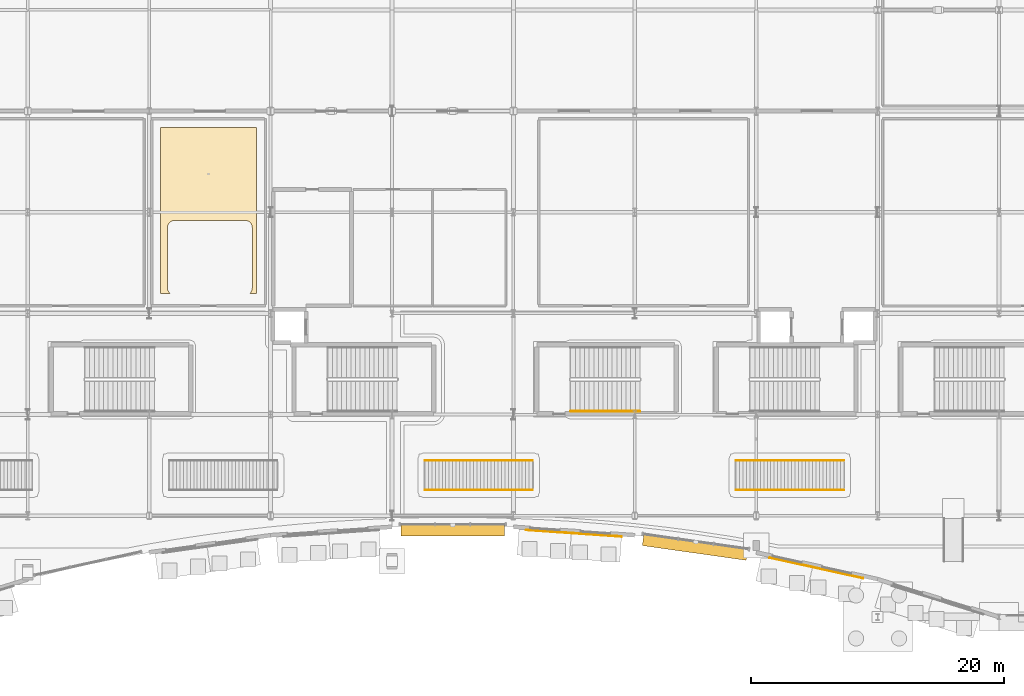
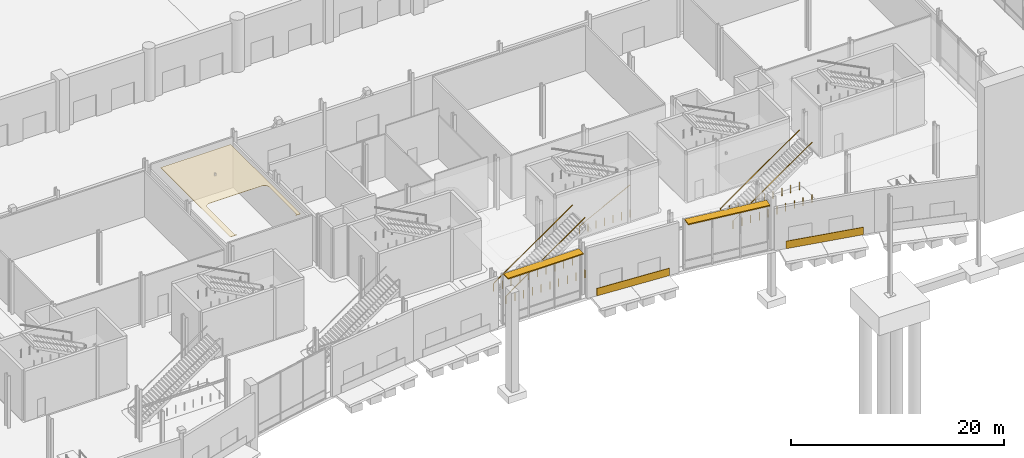
# One storey, part 106 of 124: 5 railings, 3 coverings, 2 shading devices.
"""IFC4 building model written with IfcOpenShell, lengths in metres."""

from ifc_helpers import new_model, si_unit, direction, frame, origin, origin_2d, place, context, subcontext, project, spatial, polyline, rectangle, circle, outline, extrude, material, layer, layer_set, type_object, element, save


model = new_model("IFC4")

# Units and contexts
model_context = context("Model", 3, precision=1e-05, world=origin(), true_north=direction((0.0, 1.0)))
body_context = subcontext(model_context, "Body", "Model", "MODEL_VIEW")
ifc_project = project(units=[si_unit("LENGTHUNIT", "METRE"), si_unit("AREAUNIT", "SQUARE_METRE"), si_unit("VOLUMEUNIT", "CUBIC_METRE"), si_unit("PLANEANGLEUNIT", "RADIAN"), si_unit("MASSUNIT", "GRAM", prefix="KILO")], contexts=[model_context])

# Site, building, storey
site_placement = place(None, origin())
site = spatial("IfcSite", under=ifc_project, at=site_placement, CompositionType="ELEMENT")
building_placement = place(site_placement, origin())
building = spatial("IfcBuilding", under=site, at=building_placement, Name="Danafjord Basin Convention Centre", CompositionType="ELEMENT")
storey_placement = place(building_placement, origin())
storey = spatial("IfcBuildingStorey", under=building, at=storey_placement, Name="L00", CompositionType="ELEMENT", Elevation=0.0)

# Coverings
ifc_material_1 = material(Name="Board-marked precast concrete rainscreen", Category="concrete")
ifc_layer_1 = layer(ifc_material_1, 0.06005859375)
ifc_layer_set_1 = layer_set([ifc_layer_1], Name="Board-marked precast concrete rainscreen")
covering_type_1 = type_object("IfcCoveringType", Name="COV-CLAD-PC", PredefinedType="CLADDING", material=ifc_layer_set_1)
for number, where, z_axis, x_axis, name in (
    (1, (71.98779296875, 6.60986328125, 0.02490234375), (0.0, 0.0, 1.0), (0.997609375858, -0.069105232798, 0.0), "L00 board-marked precast spandrel cladding"),
    (2, (91.162353515625, 3.865478515625, 0.02490234375), (0.0, 0.0, 1.0), (0.976623114167, -0.214958816695, 0.0), "L00 board-marked precast spandrel cladding"),
):
    element("IfcCovering", number, at=place(storey_placement, frame(where, z_axis=z_axis, x_axis=x_axis)), inside=storey, type_object=covering_type_1, Name=name, PredefinedType="CLADDING", context=body_context, shape_type="SweptSolid", body=[
        extrude(rectangle(XDim=7.60009765625, YDim=0.06005859375, at=origin_2d()), origin(), (0.0, 0.0, 1.0), 0.85009765625),
    ])
ifc_material_2 = material(Name="Acoustic mineral-fibre tile ceiling")
ifc_layer_2 = layer(ifc_material_2, 0.030029296875)
ifc_layer_set_2 = layer_set([ifc_layer_2], Name="Acoustic mineral-fibre tile ceiling")
covering_type_2 = type_object("IfcCoveringType", Name="COV-CLG-GYP01", PredefinedType="CEILING", material=ifc_layer_set_2)
covering_placement = place(storey_placement, frame((0.0, 0.0, 5.5)))
element("IfcCovering", 3, at=covering_placement, inside=storey, type_object=covering_type_2, Name="Harbour Seminar Hall M01 acoustic ceiling", PredefinedType="CEILING", context=body_context, shape_type="SweptSolid", body=[
    extrude(outline(polyline([(46.89990234375, 38.699951171875), (46.89990234375, 25.590087890625), (46.365966796875, 25.590087890625), (46.388916015625, 25.611083984375), (46.425048828125, 25.65087890625), (46.45703125, 25.694091796875), (46.485107421875, 25.740966796875), (46.508056640625, 25.7900390625), (46.52587890625, 25.840087890625), (46.5390625, 25.89306640625), (46.547119140625, 25.946044921875), (46.550048828125, 26.0), (46.550048828125, 30.800048828125), (46.547119140625, 30.85400390625), (46.5390625, 30.906982421875), (46.52587890625, 30.9599609375), (46.508056640625, 31.010009765625), (46.485107421875, 31.05908203125), (46.45703125, 31.10595703125), (46.425048828125, 31.14892578125), (46.388916015625, 31.18896484375), (46.34912109375, 31.22509765625), (46.305908203125, 31.257080078125), (46.259033203125, 31.284912109375), (46.2099609375, 31.30810546875), (46.159912109375, 31.325927734375), (46.10693359375, 31.339111328125), (46.053955078125, 31.346923828125), (46.0, 31.35009765625), (40.39990234375, 31.35009765625), (40.345947265625, 31.346923828125), (40.29296875, 31.339111328125), (40.239990234375, 31.325927734375), (40.18994140625, 31.30810546875), (40.14111328125, 31.284912109375), (40.093994140625, 31.257080078125), (40.051025390625, 31.22509765625), (40.010986328125, 31.18896484375), (39.97509765625, 31.14892578125), (39.943115234375, 31.10595703125), (39.9150390625, 31.05908203125), (39.89208984375, 31.010009765625), (39.8740234375, 30.9599609375), (39.861083984375, 30.906982421875), (39.85302734375, 30.85400390625), (39.85009765625, 30.800048828125), (39.85009765625, 26.0), (39.85302734375, 25.946044921875), (39.861083984375, 25.89306640625), (39.8740234375, 25.840087890625), (39.89208984375, 25.7900390625), (39.9150390625, 25.740966796875), (39.943115234375, 25.694091796875), (39.97509765625, 25.65087890625), (40.010986328125, 25.611083984375), (40.033935546875, 25.590087890625), (39.300048828125, 25.590087890625), (39.300048828125, 38.699951171875), (46.89990234375, 38.699951171875)])), origin(), (0.0, 0.0, 1.0), 0.030029296875),
])

# Railings
ifc_material_3 = material(Name="Brushed stainless steel EN 1.4404", Category="steel")
railing_type = type_object("IfcRailingType", Name="RL-HR-STAIR", PredefinedType="HANDRAIL", material=ifc_material_3)
railing_placement = place(storey_placement, frame((71.72998046875, 16.260009765625, 0.1875)))
element("IfcRailing", 4, at=railing_placement, inside=storey, type_object=railing_type, Name="L00 ST-06 stair handrail 1", PredefinedType="HANDRAIL", context=body_context, shape_type="SweptSolid", body=[
    extrude(circle(Radius=0.02392578125, at=origin_2d()), frame((0.0, 0.0, 0.8759765625), z_axis=(0.889503409663, 0.0, 0.456928532922), x_axis=(0.0, 1.0, 0.0)), (0.0, 0.0, 1.0), 6.1552734375),
    extrude(circle(Radius=0.02099609375, at=origin_2d()), origin(), (0.0, 0.0, 1.0), 0.849853515625),
    extrude(circle(Radius=0.02099609375, at=origin_2d()), frame((0.91259765625, 0.0, 0.0)), (0.0, 0.0, 1.0), 0.849853515625),
    extrude(circle(Radius=0.02099609375, at=origin_2d()), frame((1.824951171875, 0.0, 0.0)), (0.0, 0.0, 1.0), 0.849853515625),
    extrude(circle(Radius=0.02099609375, at=origin_2d()), frame((2.737548828125, 0.0, 0.0)), (0.0, 0.0, 1.0), 0.849853515625),
    extrude(circle(Radius=0.02099609375, at=origin_2d()), frame((3.650146484375, 0.0, 0.0)), (0.0, 0.0, 1.0), 0.849853515625),
    extrude(circle(Radius=0.02099609375, at=origin_2d()), frame((4.5625, 0.0, 0.0)), (0.0, 0.0, 1.0), 0.849853515625),
    extrude(circle(Radius=0.02099609375, at=origin_2d()), frame((5.47509765625, 0.0, 0.0)), (0.0, 0.0, 1.0), 0.849853515625),
])
for number, where, name in (
    (5, (84.800048828125, 12.375, 0.0), "Grand Registration East Feature Stair handrail L"),
    (6, (84.800048828125, 10.02490234375, 0.0), "Grand Registration East Feature Stair handrail R"),
):
    element("IfcRailing", number, at=place(storey_placement, frame(where)), inside=storey, type_object=railing_type, Name=name, PredefinedType="HANDRAIL", context=body_context, shape_type="SweptSolid", body=[
        extrude(circle(Radius=0.02392578125, at=origin_2d()), frame((0.0, 0.0, 0.89599609375), z_axis=(0.817761511564, 0.0, 0.575557217143), x_axis=(0.0, 1.0, 0.0)), (0.0, 0.0, 1.0), 10.424560546875),
        extrude(circle(Radius=0.02099609375, at=origin_2d()), origin(), (0.0, 0.0, 1.0), 0.869873046875),
        extrude(circle(Radius=0.02099609375, at=origin_2d()), frame((0.947265625, 0.0, 0.0)), (0.0, 0.0, 1.0), 0.869873046875),
        extrude(circle(Radius=0.02099609375, at=origin_2d()), frame((1.89453125, 0.0, 0.0)), (0.0, 0.0, 1.0), 0.869873046875),
        extrude(circle(Radius=0.02099609375, at=origin_2d()), frame((2.841552734375, 0.0, 0.0)), (0.0, 0.0, 1.0), 0.869873046875),
        extrude(circle(Radius=0.02099609375, at=origin_2d()), frame((3.788818359375, 0.0, 0.0)), (0.0, 0.0, 1.0), 0.869873046875),
        extrude(circle(Radius=0.02099609375, at=origin_2d()), frame((4.736083984375, 0.0, 0.0)), (0.0, 0.0, 1.0), 0.869873046875),
        extrude(circle(Radius=0.02099609375, at=origin_2d()), frame((5.683349609375, 0.0, 0.0)), (0.0, 0.0, 1.0), 0.869873046875),
        extrude(circle(Radius=0.02099609375, at=origin_2d()), frame((6.63037109375, 0.0, 0.0)), (0.0, 0.0, 1.0), 0.869873046875),
        extrude(circle(Radius=0.02099609375, at=origin_2d()), frame((7.57763671875, 0.0, 0.0)), (0.0, 0.0, 1.0), 0.869873046875),
        extrude(circle(Radius=0.02099609375, at=origin_2d()), frame((8.52490234375, 0.0, 0.0)), (0.0, 0.0, 1.0), 0.869873046875),
    ])
for number, where, name in (
    (7, (60.199951171875, 12.375, 0.0), "Central Harbour Concourse East Grand Stair handrail L"),
    (8, (60.199951171875, 10.02490234375, 0.0), "Central Harbour Concourse East Grand Stair handrail R"),
):
    element("IfcRailing", number, at=place(storey_placement, frame(where)), inside=storey, type_object=railing_type, Name=name, PredefinedType="HANDRAIL", context=body_context, shape_type="SweptSolid", body=[
        extrude(circle(Radius=0.02392578125, at=origin_2d()), frame((0.0, 0.0, 0.89599609375), z_axis=(0.817769269422, 0.0, 0.575546194488), x_axis=(0.0, 1.0, 0.0)), (0.0, 0.0, 1.0), 10.4248046875),
        extrude(circle(Radius=0.02099609375, at=origin_2d()), origin(), (0.0, 0.0, 1.0), 0.869873046875),
        extrude(circle(Radius=0.02099609375, at=origin_2d()), frame((0.947265625, 0.0, 0.0)), (0.0, 0.0, 1.0), 0.869873046875),
        extrude(circle(Radius=0.02099609375, at=origin_2d()), frame((1.89453125, 0.0, 0.0)), (0.0, 0.0, 1.0), 0.869873046875),
        extrude(circle(Radius=0.02099609375, at=origin_2d()), frame((2.841796875, 0.0, 0.0)), (0.0, 0.0, 1.0), 0.869873046875),
        extrude(circle(Radius=0.02099609375, at=origin_2d()), frame((3.7890625, 0.0, 0.0)), (0.0, 0.0, 1.0), 0.869873046875),
        extrude(circle(Radius=0.02099609375, at=origin_2d()), frame((4.736083984375, 0.0, 0.0)), (0.0, 0.0, 1.0), 0.869873046875),
        extrude(circle(Radius=0.02099609375, at=origin_2d()), frame((5.683349609375, 0.0, 0.0)), (0.0, 0.0, 1.0), 0.869873046875),
        extrude(circle(Radius=0.02099609375, at=origin_2d()), frame((6.630615234375, 0.0, 0.0)), (0.0, 0.0, 1.0), 0.869873046875),
        extrude(circle(Radius=0.02099609375, at=origin_2d()), frame((7.577880859375, 0.0, 0.0)), (0.0, 0.0, 1.0), 0.869873046875),
        extrude(circle(Radius=0.02099609375, at=origin_2d()), frame((8.525146484375, 0.0, 0.0)), (0.0, 0.0, 1.0), 0.869873046875),
    ])

# Shading devices
ifc_material_4 = material(Name="Anodised aluminium aerofoil sunshade", Category="aluminium")
shading_device_type = type_object("IfcShadingDeviceType", Name="SHD-SUN-A", PredefinedType="USERDEFINED", material=ifc_material_4)
shading_device_1_placement = place(storey_placement, frame((62.39990234375, 6.840087890625, 5.64990234375), z_axis=(0.0, 0.0, 1.0), x_axis=(1.0, 0.0, 0.0)))
element("IfcShadingDevice", 9, at=shading_device_1_placement, inside=storey, type_object=shading_device_type, Name="L00 cantilevered harbour sunshade 2", ObjectType="SUNSHADE", PredefinedType="USERDEFINED", context=body_context, shape_type="SweptSolid", body=[
    extrude(rectangle(XDim=8.199951171875, YDim=0.89990234375, at=origin_2d()), origin(), (0.0, 0.0, 1.0), 0.1201171875),
])
shading_device_2_placement = place(storey_placement, frame((81.56201171875, 5.50341796875, 5.64990234375), z_axis=(0.0, 0.0, 1.0), x_axis=(0.990128157327, -0.140165017276, 0.0)))
element("IfcShadingDevice", 10, at=shading_device_2_placement, inside=storey, type_object=shading_device_type, Name="L00 cantilevered harbour sunshade 3", ObjectType="SUNSHADE", PredefinedType="USERDEFINED", context=body_context, shape_type="SweptSolid", body=[
    extrude(rectangle(XDim=8.295654296875, YDim=0.89990234375, at=origin_2d()), origin(), (0.0, 0.0, 1.0), 0.1201171875),
])

save(model, "model.ifc")
